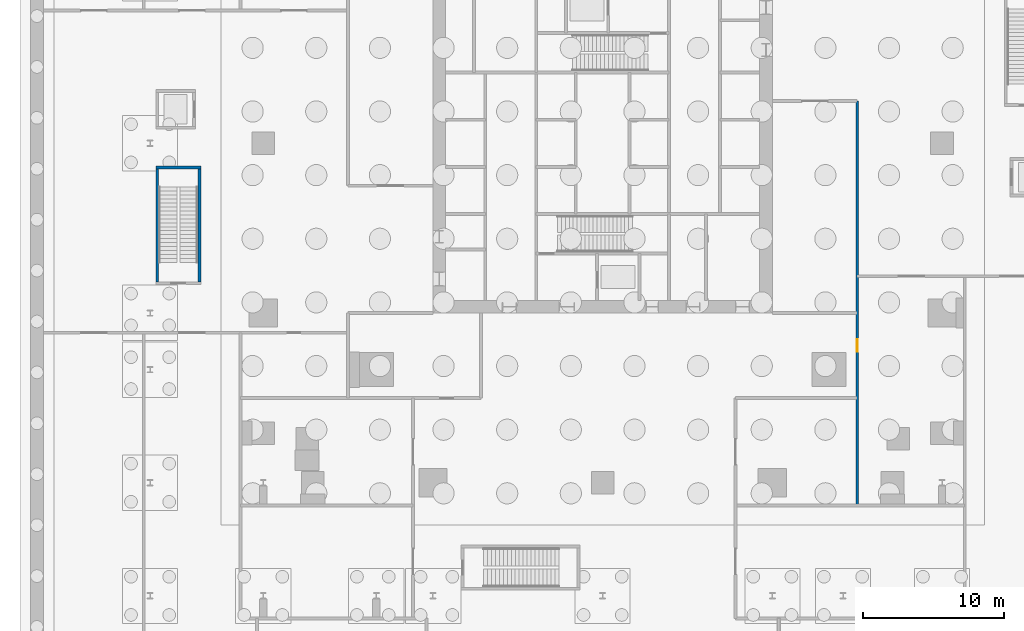
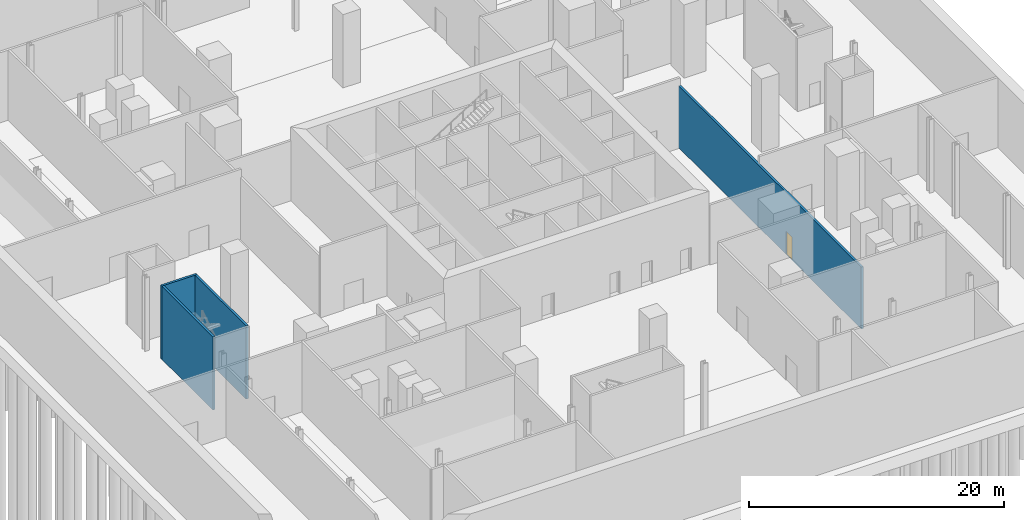
# One storey, part 7 of 15: 4 walls, 1 door, 1 opening.
"""IFC4 building model written with IfcOpenShell, lengths in metres."""

from ifc_helpers import new_model, si_unit, direction, frame, frame_2d, origin, place, context, subcontext, project, spatial, rectangle, extrude, material, layer, layer_set, type_object, element, fill, save


model = new_model("IFC4")

# Units and contexts
model_context = context("Model", 3, precision=1e-05, world=origin(), true_north=direction((0.0, 1.0)))
body_context = subcontext(model_context, "Body", "Model", "MODEL_VIEW")
ifc_project = project(units=[si_unit("LENGTHUNIT", "METRE"), si_unit("AREAUNIT", "SQUARE_METRE"), si_unit("VOLUMEUNIT", "CUBIC_METRE"), si_unit("PLANEANGLEUNIT", "RADIAN"), si_unit("MASSUNIT", "GRAM", prefix="KILO")], contexts=[model_context])

# Site, building, storey
site_placement = place(None, origin())
site = spatial("IfcSite", under=ifc_project, at=site_placement, CompositionType="ELEMENT")
building_placement = place(site_placement, origin())
building = spatial("IfcBuilding", under=site, at=building_placement, Name="Fenwick Lantern Interchange", CompositionType="ELEMENT")
storey_placement = place(building_placement, frame((0.0, 0.0, -7.0)))
storey = spatial("IfcBuildingStorey", under=building, at=storey_placement, Name="B-1", CompositionType="ELEMENT", Elevation=-7.0)

# Wall, opening, door
ifc_material_1 = material(Name="Gypsum board on steel studs, 1 hour", Category="steel")
ifc_layer_1 = layer(ifc_material_1, 0.199951171875)
ifc_layer_set_1 = layer_set([ifc_layer_1], Name="ROOM WALL 200")
wall_type_1 = type_object("IfcWallType", Name="ROOM WALL 200", PredefinedType="PARTITIONING", material=ifc_layer_set_1)
wall_1_placement = place(storey_placement, frame((43.0, -0.60009765625, 0.0), z_axis=(0.0, 0.0, 1.0), x_axis=(0.0, 1.0, 0.0)))
wall_1 = element("IfcWall", 1, at=wall_1_placement, inside=storey, type_object=wall_type_1, Name="B-1/W/POD/X43-1", PredefinedType="PARTITIONING", context=body_context, shape_type="SweptSolid", body=[
    extrude(rectangle(XDim=28.60009765625, YDim=0.199951171875, at=frame_2d((14.300048828125, 0.0))), origin(), (0.0, 0.0, 1.0), 5.920166015625),
])
opening_placement = place(wall_1_placement, frame((10.85009765625, 0.0, 0.0)))
opening = element("IfcOpeningElement", 2, at=opening_placement, cuts=wall_1, Name="Opening B-1-D033", PredefinedType="OPENING", context=body_context, shape_type="SweptSolid", body=[
    extrude(rectangle(XDim=0.89990234375, YDim=2.199951171875, at=frame_2d((0.449951171875, 1.10009765625))), frame((0.0, 0.10986328125, 0.0), z_axis=(0.0, -1.0, 0.0), x_axis=(1.0, 0.0, 0.0)), (0.0, 0.0, 1.0), 0.219970703125),
])
ifc_material_2 = material(Name="Hardwood door and steel frame", Category="steel")
door_type = type_object("IfcDoorType", Name="OFFICE DOOR 900 X 2200", OperationType="SINGLE_SWING_LEFT", PredefinedType="DOOR", material=ifc_material_2)
door_placement = place(opening_placement, origin())
door = element("IfcDoor", 3, at=door_placement, inside=storey, type_object=door_type, Name="Office door", OperationType="SINGLE_SWING_RIGHT", OverallHeight=2.199951171875, OverallWidth=0.89990234375, PredefinedType="DOOR", context=body_context, shape_type="SweptSolid", body=[
    extrude(rectangle(XDim=0.89990234375, YDim=2.199951171875, at=frame_2d((0.449951171875, 1.10009765625))), frame((0.0, 0.02490234375, 0.0), z_axis=(0.0, -1.0, 0.0), x_axis=(1.0, 0.0, 0.0)), (0.0, 0.0, 1.0), 0.050048828125),
])
fill(opening, door)

# Walls
ifc_material_3 = material(Name="Reinforced concrete masonry ASTM C90 Grade N", Category="masonry")
ifc_layer_2 = layer(ifc_material_3, 0.199951171875)
ifc_layer_set_2 = layer_set([ifc_layer_2], Name="Reinforced concrete masonry ASTM C90 Grade N")
wall_type_2 = type_object("IfcWallType", Name="STAIR ENCLOSURE 200", PredefinedType="SOLIDWALL", material=ifc_layer_set_2)
wall_2_placement = place(storey_placement, frame((-3.5, 15.199951171875, 0.0), z_axis=(0.0, 0.0, 1.0), x_axis=(0.0, 1.0, 0.0)))
element("IfcWall", 4, at=wall_2_placement, inside=storey, type_object=wall_type_2, Name="B-1/W/PS3/E", PredefinedType="SOLIDWALL", context=body_context, shape_type="SweptSolid", body=[
    extrude(rectangle(XDim=8.0, YDim=0.199951171875, at=frame_2d((4.0, 0.0))), origin(), (0.0, 0.0, 1.0), 7.0),
])
wall_3_placement = place(storey_placement, frame((-3.39990234375, 23.300048828125, 0.0), z_axis=(0.0, 0.0, 1.0), x_axis=(-1.0, 0.0, 0.0)))
element("IfcWall", 5, at=wall_3_placement, inside=storey, type_object=wall_type_2, Name="B-1/W/PS3/N", PredefinedType="SOLIDWALL", context=body_context, shape_type="SweptSolid", body=[
    extrude(rectangle(XDim=3.2001953125, YDim=0.199951171875, at=frame_2d((1.60009765625, 0.0))), origin(), (0.0, 0.0, 1.0), 7.0),
])
wall_4_placement = place(storey_placement, frame((-6.5, 23.199951171875, 0.0), z_axis=(0.0, 0.0, 1.0), x_axis=(0.0, -1.0, 0.0)))
element("IfcWall", 6, at=wall_4_placement, inside=storey, type_object=wall_type_2, Name="B-1/W/PS3/W", PredefinedType="SOLIDWALL", context=body_context, shape_type="SweptSolid", body=[
    extrude(rectangle(XDim=8.0, YDim=0.199951171875, at=frame_2d((4.0, 0.0))), origin(), (0.0, 0.0, 1.0), 7.0),
])

save(model, "model.ifc")
